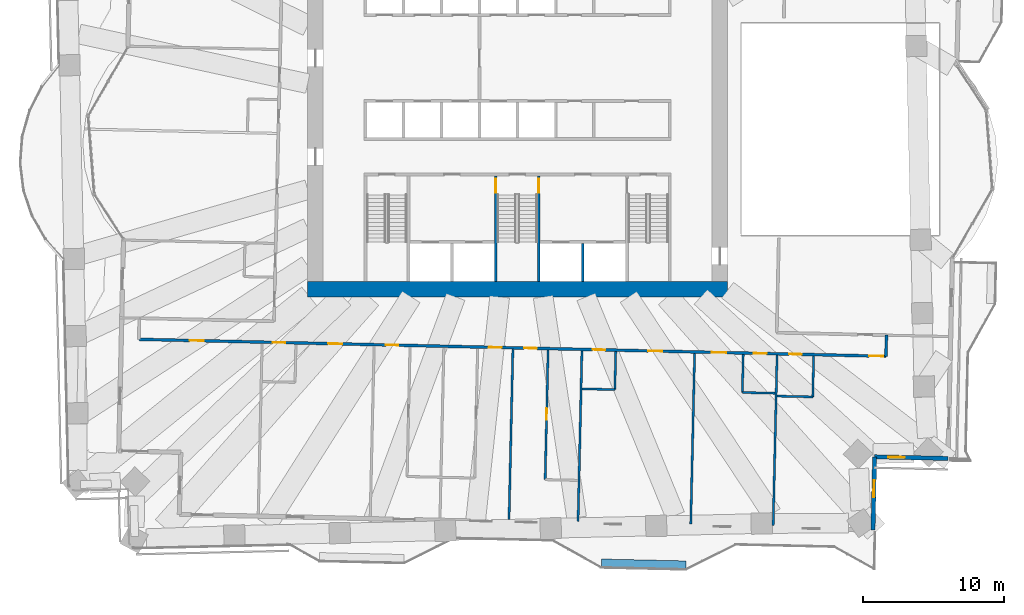
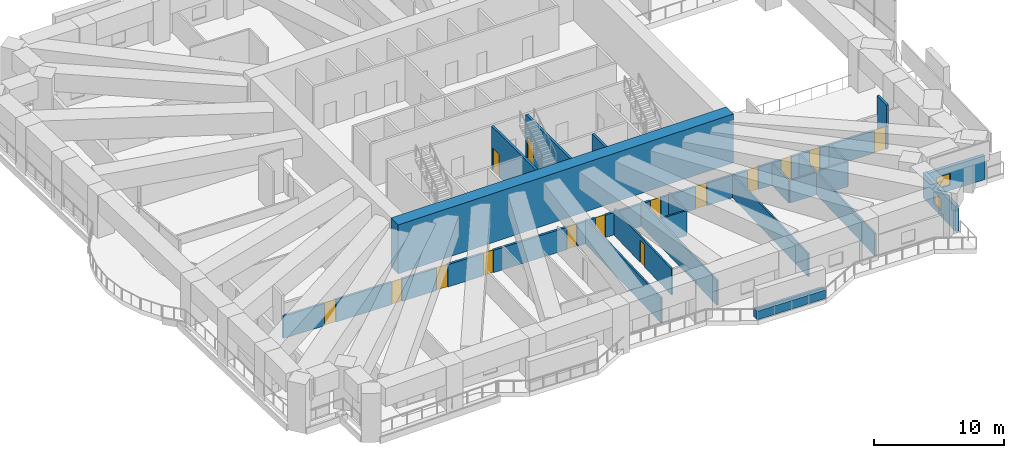
# One storey, part 10 of 20: 20 walls, 15 doors, 2 windows, 17 openings.
"""IFC4 building model written with IfcOpenShell, lengths in metres."""

from ifc_helpers import new_model, si_unit, direction, frame, frame_2d, origin, place, context, subcontext, project, spatial, rectangle, extrude, material, layer, layer_set, type_object, element, fill, save


model = new_model("IFC4")

# Units and contexts
model_context = context("Model", 3, precision=1e-05, world=origin(), true_north=direction((0.0, 1.0)))
body_context = subcontext(model_context, "Body", "Model", "MODEL_VIEW")
ifc_project = project(units=[si_unit("LENGTHUNIT", "METRE"), si_unit("AREAUNIT", "SQUARE_METRE"), si_unit("VOLUMEUNIT", "CUBIC_METRE"), si_unit("PLANEANGLEUNIT", "RADIAN"), si_unit("MASSUNIT", "GRAM", prefix="KILO")], contexts=[model_context])

# Site, building, storey
site_placement = place(None, origin())
site = spatial("IfcSite", under=ifc_project, at=site_placement, CompositionType="ELEMENT")
building_placement = place(site_placement, origin())
building = spatial("IfcBuilding", under=site, at=building_placement, Name="Mangrove Gate Tower", CompositionType="ELEMENT")
storey_placement = place(building_placement, frame((0.0, 0.0, 52.10009765625)))
storey = spatial("IfcBuildingStorey", under=building, at=storey_placement, Name="L12", CompositionType="ELEMENT", Elevation=52.10009765625)

# Wall
ifc_material_1 = material(Name="Concrete C70/85", Category="concrete")
ifc_layer_1 = layer(ifc_material_1, 0.199951171875)
ifc_layer_set_1 = layer_set([ifc_layer_1], Name="Core shaft wall 200 C70/85")
wall_type_1 = type_object("IfcWallType", Name="Core shaft wall 200 C70/85", PredefinedType="SHEAR", material=ifc_layer_set_1)
wall_1_placement = place(storey_placement, frame((4.625, -10.800048828125, 0.0), z_axis=(0.0, 0.0, 1.0), x_axis=(0.0, 1.0, 0.0)))
element("IfcWall", 1, at=wall_1_placement, inside=storey, type_object=wall_type_1, Name="WALL-L12-CORE-18", PredefinedType="SHEAR", context=body_context, shape_type="SweptSolid", body=[
    extrude(rectangle(XDim=2.699951171875, YDim=0.199951171875, at=frame_2d((1.35009765625, 0.0))), origin(), (0.0, 0.0, 1.0), 4.0498046875),
])

# Wall, opening, door
ifc_material_2 = material(Name="Concrete C70/85", Category="concrete")
ifc_layer_2 = layer(ifc_material_2, 0.199951171875)
ifc_layer_set_2 = layer_set([ifc_layer_2], Name="Core stair wall 200 C70/85")
wall_type_2 = type_object("IfcWallType", Name="Core stair wall 200 C70/85", PredefinedType="SHEAR", material=ifc_layer_set_2)
wall_2_placement = place(storey_placement, frame((-1.550048828125, -10.800048828125, 0.0), z_axis=(0.0, 0.0, 1.0), x_axis=(0.0, 1.0, 0.0)))
wall_2 = element("IfcWall", 2, at=wall_2_placement, inside=storey, type_object=wall_type_2, Name="WALL-L12-CORE-11", PredefinedType="SHEAR", context=body_context, shape_type="SweptSolid", body=[
    extrude(rectangle(XDim=7.5, YDim=0.199951171875, at=frame_2d((3.75, 0.0))), origin(), (0.0, 0.0, 1.0), 4.0498046875),
])
opening_1_placement = place(wall_2_placement, frame((6.300048828125, 0.0, 0.0)))
opening_1 = element("IfcOpeningElement", 3, at=opening_1_placement, cuts=wall_2, Name="Opening STD10", PredefinedType="OPENING", context=body_context, shape_type="SweptSolid", body=[
    extrude(rectangle(XDim=1.0, YDim=2.10009765625, at=frame_2d((0.5, 1.050048828125))), frame((0.0, 0.10986328125, 0.0), z_axis=(0.0, -1.0, 0.0), x_axis=(1.0, 0.0, 0.0)), (0.0, 0.0, 1.0), 0.219970703125),
])
ifc_material_3 = material(Name="Fire-rated steel door set", Category="steel")
door_type_1 = type_object("IfcDoorType", Name="Stair door FD60 1000x2100", OperationType="SINGLE_SWING_RIGHT", PredefinedType="DOOR", material=ifc_material_3)
door_1_placement = place(opening_1_placement, origin())
door_1 = element("IfcDoor", 4, at=door_1_placement, inside=storey, type_object=door_type_1, Name="Stair door Stair 2 from service lobby", OperationType="SINGLE_SWING_RIGHT", OverallHeight=2.10009765625, OverallWidth=1.0, PredefinedType="DOOR", context=body_context, shape_type="SweptSolid", body=[
    extrude(rectangle(XDim=1.0, YDim=2.10009765625, at=frame_2d((0.5, 1.050048828125))), frame((0.0, 0.02490234375, 0.0), z_axis=(0.0, -1.0, 0.0), x_axis=(1.0, 0.0, 0.0)), (0.0, 0.0, 1.0), 0.050048828125),
])
fill(opening_1, door_1)

wall_3_placement = place(storey_placement, frame((1.5, -10.800048828125, 0.0), z_axis=(0.0, 0.0, 1.0), x_axis=(0.0, 1.0, 0.0)))
wall_3 = element("IfcWall", 5, at=wall_3_placement, inside=storey, type_object=wall_type_2, Name="WALL-L12-CORE-12", PredefinedType="SHEAR", context=body_context, shape_type="SweptSolid", body=[
    extrude(rectangle(XDim=7.5, YDim=0.199951171875, at=frame_2d((3.75, 0.0))), origin(), (0.0, 0.0, 1.0), 4.0498046875),
])
opening_2_placement = place(wall_3_placement, frame((6.300048828125, 0.0, 0.0)))
opening_2 = element("IfcOpeningElement", 6, at=opening_2_placement, cuts=wall_3, Name="Opening STD10", PredefinedType="OPENING", context=body_context, shape_type="SweptSolid", body=[
    extrude(rectangle(XDim=1.0, YDim=2.10009765625, at=frame_2d((0.5, 1.050048828125))), frame((0.0, 0.10986328125, 0.0), z_axis=(0.0, -1.0, 0.0), x_axis=(1.0, 0.0, 0.0)), (0.0, 0.0, 1.0), 0.219970703125),
])
door_2_placement = place(opening_2_placement, origin())
door_2 = element("IfcDoor", 7, at=door_2_placement, inside=storey, type_object=door_type_1, Name="Stair door Stair 2 from fire-fighting lobby", OperationType="SINGLE_SWING_RIGHT", OverallHeight=2.10009765625, OverallWidth=1.0, PredefinedType="DOOR", context=body_context, shape_type="SweptSolid", body=[
    extrude(rectangle(XDim=1.0, YDim=2.10009765625, at=frame_2d((0.5, 1.050048828125))), frame((0.0, 0.02490234375, 0.0), z_axis=(0.0, -1.0, 0.0), x_axis=(1.0, 0.0, 0.0)), (0.0, 0.0, 1.0), 0.050048828125),
])
fill(opening_2, door_2)

# Wall
ifc_material_4 = material(Name="Concrete C70/85", Category="concrete")
ifc_layer_3 = layer(ifc_material_4, 1.10009765625)
ifc_layer_set_3 = layer_set([ifc_layer_3], Name="Core wall 1100 C70/85")
wall_type_3 = type_object("IfcWallType", Name="Core wall 1100 C70/85", PredefinedType="SHEAR", material=ifc_layer_set_3)
wall_4_placement = place(storey_placement, frame((-14.89990234375, -11.35009765625, 0.0), z_axis=(0.0, 0.0, 1.0), x_axis=(1.0, 0.0, 0.0)))
element("IfcWall", 8, at=wall_4_placement, inside=storey, type_object=wall_type_3, Name="WALL-L12-CORE-1", PredefinedType="SHEAR", context=body_context, shape_type="SweptSolid", body=[
    extrude(rectangle(XDim=29.7998046875, YDim=1.10009765625, at=frame_2d((14.89990234375, 0.0))), origin(), (0.0, 0.0, 1.0), 4.599853515625),
])

# Wall, openings, doors
ifc_material_5 = material(Name="Gypsum board on steel stud, EI 60", Category="steel")
ifc_layer_4 = layer(ifc_material_5, 0.199951171875)
ifc_layer_set_4 = layer_set([ifc_layer_4], Name="Corridor wall EI 60")
wall_type_4 = type_object("IfcWallType", Name="Corridor wall EI 60", PredefinedType="PARTITIONING", material=ifc_layer_set_4)
wall_5_placement = place(storey_placement, frame((-26.8759765625, -14.906982421875, 0.0), z_axis=(0.0, 0.0, 1.0), x_axis=(0.99974254105, -0.022690341881, 0.0)))
wall_5 = element("IfcWall", 9, at=wall_5_placement, inside=storey, type_object=wall_type_4, Name="WALL-L12-022", PredefinedType="PARTITIONING", context=body_context, shape_type="SweptSolid", body=[
    extrude(rectangle(XDim=53.023681640625, YDim=0.199951171875, at=frame_2d((26.51171875, 0.0))), origin(), (0.0, 0.0, 1.0), 2.099853515625),
])
opening_3_placement = place(wall_5_placement, frame((3.59912109375, 0.0, 0.0)))
opening_3 = element("IfcOpeningElement", 10, at=opening_3_placement, cuts=wall_5, Name="Opening AD", PredefinedType="OPENING", context=body_context, shape_type="SweptSolid", body=[
    extrude(rectangle(XDim=1.0, YDim=2.10009765625, at=frame_2d((0.5, 1.050048828125))), frame((0.0, 0.10986328125, 0.0), z_axis=(0.0, -1.0, 0.0), x_axis=(1.0, 0.0, 0.0)), (0.0, 0.0, 1.0), 0.219970703125),
])
opening_4_placement = place(wall_5_placement, frame((13.425048828125, 0.0, 0.0)))
opening_4 = element("IfcOpeningElement", 11, at=opening_4_placement, cuts=wall_5, Name="Opening AD", PredefinedType="OPENING", context=body_context, shape_type="SweptSolid", body=[
    extrude(rectangle(XDim=1.0, YDim=2.10009765625, at=frame_2d((0.5, 1.050048828125))), frame((0.0, 0.10986328125, 0.0), z_axis=(0.0, -1.0, 0.0), x_axis=(1.0, 0.0, 0.0)), (0.0, 0.0, 1.0), 0.219970703125),
])
opening_5_placement = place(wall_5_placement, frame((9.5, 0.0, 0.0)))
opening_5 = element("IfcOpeningElement", 12, at=opening_5_placement, cuts=wall_5, Name="Opening SD", PredefinedType="OPENING", context=body_context, shape_type="SweptSolid", body=[
    extrude(rectangle(XDim=0.89990234375, YDim=2.10009765625, at=frame_2d((0.449951171875, 1.050048828125))), frame((0.0, 0.10986328125, 0.0), z_axis=(0.0, -1.0, 0.0), x_axis=(1.0, 0.0, 0.0)), (0.0, 0.0, 1.0), 0.219970703125),
])
opening_6_placement = place(wall_5_placement, frame((17.52490234375, 0.0, 0.0)))
opening_6 = element("IfcOpeningElement", 13, at=opening_6_placement, cuts=wall_5, Name="Opening BD", PredefinedType="OPENING", context=body_context, shape_type="SweptSolid", body=[
    extrude(rectangle(XDim=0.89990234375, YDim=2.10009765625, at=frame_2d((0.449951171875, 1.050048828125))), frame((0.0, 0.10986328125, 0.0), z_axis=(0.0, -1.0, 0.0), x_axis=(1.0, 0.0, 0.0)), (0.0, 0.0, 1.0), 0.219970703125),
])
opening_7_placement = place(wall_5_placement, frame((24.85009765625, 0.0, 0.0)))
opening_7 = element("IfcOpeningElement", 14, at=opening_7_placement, cuts=wall_5, Name="Opening BD", PredefinedType="OPENING", context=body_context, shape_type="SweptSolid", body=[
    extrude(rectangle(XDim=0.89990234375, YDim=2.10009765625, at=frame_2d((0.449951171875, 1.050048828125))), frame((0.0, 0.10986328125, 0.0), z_axis=(0.0, -1.0, 0.0), x_axis=(1.0, 0.0, 0.0)), (0.0, 0.0, 1.0), 0.219970703125),
])
opening_8_placement = place(wall_5_placement, frame((27.35009765625, 0.0, 0.0)))
opening_8 = element("IfcOpeningElement", 15, at=opening_8_placement, cuts=wall_5, Name="Opening BD", PredefinedType="OPENING", context=body_context, shape_type="SweptSolid", body=[
    extrude(rectangle(XDim=0.89990234375, YDim=2.10009765625, at=frame_2d((0.449951171875, 1.050048828125))), frame((0.0, 0.10986328125, 0.0), z_axis=(0.0, -1.0, 0.0), x_axis=(1.0, 0.0, 0.0)), (0.0, 0.0, 1.0), 0.219970703125),
])
opening_9_placement = place(wall_5_placement, frame((36.14990234375, 0.0, 0.0)))
opening_9 = element("IfcOpeningElement", 16, at=opening_9_placement, cuts=wall_5, Name="Opening AD", PredefinedType="OPENING", context=body_context, shape_type="SweptSolid", body=[
    extrude(rectangle(XDim=1.0, YDim=2.10009765625, at=frame_2d((0.5, 1.050048828125))), frame((0.0, 0.10986328125, 0.0), z_axis=(0.0, -1.0, 0.0), x_axis=(1.0, 0.0, 0.0)), (0.0, 0.0, 1.0), 0.219970703125),
])
opening_10_placement = place(wall_5_placement, frame((32.199951171875, 0.0, 0.0)))
opening_10 = element("IfcOpeningElement", 17, at=opening_10_placement, cuts=wall_5, Name="Opening SD", PredefinedType="OPENING", context=body_context, shape_type="SweptSolid", body=[
    extrude(rectangle(XDim=0.89990234375, YDim=2.10009765625, at=frame_2d((0.449951171875, 1.050048828125))), frame((0.0, 0.10986328125, 0.0), z_axis=(0.0, -1.0, 0.0), x_axis=(1.0, 0.0, 0.0)), (0.0, 0.0, 1.0), 0.219970703125),
])
opening_11_placement = place(wall_5_placement, frame((40.675048828125, 0.0, 0.0)))
opening_11 = element("IfcOpeningElement", 18, at=opening_11_placement, cuts=wall_5, Name="Opening AD", PredefinedType="OPENING", context=body_context, shape_type="SweptSolid", body=[
    extrude(rectangle(XDim=1.0, YDim=2.10009765625, at=frame_2d((0.5, 1.050048828125))), frame((0.0, 0.10986328125, 0.0), z_axis=(0.0, -1.0, 0.0), x_axis=(1.0, 0.0, 0.0)), (0.0, 0.0, 1.0), 0.219970703125),
])
opening_12_placement = place(wall_5_placement, frame((43.64990234375, 0.0, 0.0)))
opening_12 = element("IfcOpeningElement", 19, at=opening_12_placement, cuts=wall_5, Name="Opening SD", PredefinedType="OPENING", context=body_context, shape_type="SweptSolid", body=[
    extrude(rectangle(XDim=0.89990234375, YDim=2.10009765625, at=frame_2d((0.449951171875, 1.050048828125))), frame((0.0, 0.10986328125, 0.0), z_axis=(0.0, -1.0, 0.0), x_axis=(1.0, 0.0, 0.0)), (0.0, 0.0, 1.0), 0.219970703125),
])
opening_13_placement = place(wall_5_placement, frame((51.823974609375, 0.0, 0.0)))
opening_13 = element("IfcOpeningElement", 20, at=opening_13_placement, cuts=wall_5, Name="Opening AD", PredefinedType="OPENING", context=body_context, shape_type="SweptSolid", body=[
    extrude(rectangle(XDim=1.0, YDim=2.10009765625, at=frame_2d((0.5, 1.050048828125))), frame((0.0, 0.10986328125, 0.0), z_axis=(0.0, -1.0, 0.0), x_axis=(1.0, 0.0, 0.0)), (0.0, 0.0, 1.0), 0.219970703125),
])
opening_14_placement = place(wall_5_placement, frame((46.14990234375, 0.0, 0.0)))
opening_14 = element("IfcOpeningElement", 21, at=opening_14_placement, cuts=wall_5, Name="Opening SD", PredefinedType="OPENING", context=body_context, shape_type="SweptSolid", body=[
    extrude(rectangle(XDim=0.89990234375, YDim=2.10009765625, at=frame_2d((0.449951171875, 1.050048828125))), frame((0.0, 0.10986328125, 0.0), z_axis=(0.0, -1.0, 0.0), x_axis=(1.0, 0.0, 0.0)), (0.0, 0.0, 1.0), 0.219970703125),
])
ifc_material_6 = material(Name="Timber door leaf", Category="wood")
door_type_2 = type_object("IfcDoorType", Name="Amenity door 1000", OperationType="SINGLE_SWING_LEFT", PredefinedType="DOOR", material=ifc_material_6)
door_3_placement = place(opening_3_placement, origin())
door_3 = element("IfcDoor", 22, at=door_3_placement, inside=storey, type_object=door_type_2, Name="DOOR-L12-KIT-c1a", OperationType="SINGLE_SWING_LEFT", OverallHeight=2.10009765625, OverallWidth=1.0, PredefinedType="DOOR", context=body_context, shape_type="SweptSolid", body=[
    extrude(rectangle(XDim=1.0, YDim=2.10009765625, at=frame_2d((0.5, 1.050048828125))), frame((0.0, 0.02490234375, 0.0), z_axis=(0.0, -1.0, 0.0), x_axis=(1.0, 0.0, 0.0)), (0.0, 0.0, 1.0), 0.050048828125),
])
fill(opening_3, door_3)
door_4_placement = place(opening_4_placement, origin())
door_4 = element("IfcDoor", 23, at=door_4_placement, inside=storey, type_object=door_type_2, Name="DOOR-L12-LNG-c1a", OperationType="SINGLE_SWING_RIGHT", OverallHeight=2.10009765625, OverallWidth=1.0, PredefinedType="DOOR", context=body_context, shape_type="SweptSolid", body=[
    extrude(rectangle(XDim=1.0, YDim=2.10009765625, at=frame_2d((0.5, 1.050048828125))), frame((0.0, 0.02490234375, 0.0), z_axis=(0.0, -1.0, 0.0), x_axis=(1.0, 0.0, 0.0)), (0.0, 0.0, 1.0), 0.050048828125),
])
fill(opening_4, door_4)
door_5_placement = place(opening_9_placement, origin())
door_5 = element("IfcDoor", 24, at=door_5_placement, inside=storey, type_object=door_type_2, Name="DOOR-L12-LNG-c4a", OperationType="SINGLE_SWING_LEFT", OverallHeight=2.10009765625, OverallWidth=1.0, PredefinedType="DOOR", context=body_context, shape_type="SweptSolid", body=[
    extrude(rectangle(XDim=1.0, YDim=2.10009765625, at=frame_2d((0.5, 1.050048828125))), frame((0.0, 0.02490234375, 0.0), z_axis=(0.0, -1.0, 0.0), x_axis=(1.0, 0.0, 0.0)), (0.0, 0.0, 1.0), 0.050048828125),
])
fill(opening_9, door_5)
door_6_placement = place(opening_11_placement, origin())
door_6 = element("IfcDoor", 25, at=door_6_placement, inside=storey, type_object=door_type_2, Name="DOOR-L12-KIT-c4a", OperationType="SINGLE_SWING_RIGHT", OverallHeight=2.10009765625, OverallWidth=1.0, PredefinedType="DOOR", context=body_context, shape_type="SweptSolid", body=[
    extrude(rectangle(XDim=1.0, YDim=2.10009765625, at=frame_2d((0.5, 1.050048828125))), frame((0.0, 0.02490234375, 0.0), z_axis=(0.0, -1.0, 0.0), x_axis=(1.0, 0.0, 0.0)), (0.0, 0.0, 1.0), 0.050048828125),
])
fill(opening_11, door_6)
door_7_placement = place(opening_13_placement, origin())
door_7 = element("IfcDoor", 26, at=door_7_placement, inside=storey, type_object=door_type_2, Name="DOOR-L12-GAM-c4a", OperationType="SINGLE_SWING_LEFT", OverallHeight=2.10009765625, OverallWidth=1.0, PredefinedType="DOOR", context=body_context, shape_type="SweptSolid", body=[
    extrude(rectangle(XDim=1.0, YDim=2.10009765625, at=frame_2d((0.5, 1.050048828125))), frame((0.0, 0.02490234375, 0.0), z_axis=(0.0, -1.0, 0.0), x_axis=(1.0, 0.0, 0.0)), (0.0, 0.0, 1.0), 0.050048828125),
])
fill(opening_13, door_7)
ifc_material_7 = material(Name="Timber door leaf", Category="wood")
door_type_3 = type_object("IfcDoorType", Name="Bedroom door 900", OperationType="SINGLE_SWING_LEFT", PredefinedType="DOOR", material=ifc_material_7)
door_8_placement = place(opening_6_placement, origin())
door_8 = element("IfcDoor", 27, at=door_8_placement, inside=storey, type_object=door_type_3, Name="DOOR-L12-BED-c101", OperationType="SINGLE_SWING_LEFT", OverallHeight=2.10009765625, OverallWidth=0.89990234375, PredefinedType="DOOR", context=body_context, shape_type="SweptSolid", body=[
    extrude(rectangle(XDim=0.89990234375, YDim=2.10009765625, at=frame_2d((0.449951171875, 1.050048828125))), frame((0.0, 0.02490234375, 0.0), z_axis=(0.0, -1.0, 0.0), x_axis=(1.0, 0.0, 0.0)), (0.0, 0.0, 1.0), 0.050048828125),
])
fill(opening_6, door_8)
door_9_placement = place(opening_7_placement, origin())
door_9 = element("IfcDoor", 28, at=door_9_placement, inside=storey, type_object=door_type_3, Name="DOOR-L12-BED-c202", OperationType="SINGLE_SWING_RIGHT", OverallHeight=2.10009765625, OverallWidth=0.89990234375, PredefinedType="DOOR", context=body_context, shape_type="SweptSolid", body=[
    extrude(rectangle(XDim=0.89990234375, YDim=2.10009765625, at=frame_2d((0.449951171875, 1.050048828125))), frame((0.0, 0.02490234375, 0.0), z_axis=(0.0, -1.0, 0.0), x_axis=(1.0, 0.0, 0.0)), (0.0, 0.0, 1.0), 0.050048828125),
])
fill(opening_7, door_9)
door_10_placement = place(opening_8_placement, origin())
door_10 = element("IfcDoor", 29, at=door_10_placement, inside=storey, type_object=door_type_3, Name="DOOR-L12-BED-c303", OperationType="SINGLE_SWING_LEFT", OverallHeight=2.10009765625, OverallWidth=0.89990234375, PredefinedType="DOOR", context=body_context, shape_type="SweptSolid", body=[
    extrude(rectangle(XDim=0.89990234375, YDim=2.10009765625, at=frame_2d((0.449951171875, 1.050048828125))), frame((0.0, 0.02490234375, 0.0), z_axis=(0.0, -1.0, 0.0), x_axis=(1.0, 0.0, 0.0)), (0.0, 0.0, 1.0), 0.050048828125),
])
fill(opening_8, door_10)
ifc_material_8 = material(Name="Timber door leaf", Category="wood")
door_type_4 = type_object("IfcDoorType", Name="Service room door 900", OperationType="SINGLE_SWING_LEFT", PredefinedType="DOOR", material=ifc_material_8)
door_11_placement = place(opening_5_placement, origin())
door_11 = element("IfcDoor", 30, at=door_11_placement, inside=storey, type_object=door_type_4, Name="DOOR-L12-WC-c1a", OperationType="SINGLE_SWING_LEFT", OverallHeight=2.10009765625, OverallWidth=0.89990234375, PredefinedType="DOOR", context=body_context, shape_type="SweptSolid", body=[
    extrude(rectangle(XDim=0.89990234375, YDim=2.10009765625, at=frame_2d((0.449951171875, 1.050048828125))), frame((0.0, 0.02490234375, 0.0), z_axis=(0.0, -1.0, 0.0), x_axis=(1.0, 0.0, 0.0)), (0.0, 0.0, 1.0), 0.050048828125),
])
fill(opening_5, door_11)
door_12_placement = place(opening_10_placement, origin())
door_12 = element("IfcDoor", 31, at=door_12_placement, inside=storey, type_object=door_type_4, Name="DOOR-L12-WC-c4a", OperationType="SINGLE_SWING_RIGHT", OverallHeight=2.10009765625, OverallWidth=0.89990234375, PredefinedType="DOOR", context=body_context, shape_type="SweptSolid", body=[
    extrude(rectangle(XDim=0.89990234375, YDim=2.10009765625, at=frame_2d((0.449951171875, 1.050048828125))), frame((0.0, 0.02490234375, 0.0), z_axis=(0.0, -1.0, 0.0), x_axis=(1.0, 0.0, 0.0)), (0.0, 0.0, 1.0), 0.050048828125),
])
fill(opening_10, door_12)
door_13_placement = place(opening_12_placement, origin())
door_13 = element("IfcDoor", 32, at=door_13_placement, inside=storey, type_object=door_type_4, Name="DOOR-L12-WC-c4b", OperationType="SINGLE_SWING_LEFT", OverallHeight=2.10009765625, OverallWidth=0.89990234375, PredefinedType="DOOR", context=body_context, shape_type="SweptSolid", body=[
    extrude(rectangle(XDim=0.89990234375, YDim=2.10009765625, at=frame_2d((0.449951171875, 1.050048828125))), frame((0.0, 0.02490234375, 0.0), z_axis=(0.0, -1.0, 0.0), x_axis=(1.0, 0.0, 0.0)), (0.0, 0.0, 1.0), 0.050048828125),
])
fill(opening_12, door_13)
door_14_placement = place(opening_14_placement, origin())
door_14 = element("IfcDoor", 33, at=door_14_placement, inside=storey, type_object=door_type_4, Name="DOOR-L12-AWC-c4a", OperationType="SINGLE_SWING_RIGHT", OverallHeight=2.10009765625, OverallWidth=0.89990234375, PredefinedType="DOOR", context=body_context, shape_type="SweptSolid", body=[
    extrude(rectangle(XDim=0.89990234375, YDim=2.10009765625, at=frame_2d((0.449951171875, 1.050048828125))), frame((0.0, 0.02490234375, 0.0), z_axis=(0.0, -1.0, 0.0), x_axis=(1.0, 0.0, 0.0)), (0.0, 0.0, 1.0), 0.050048828125),
])
fill(opening_14, door_14)

# Wall
wall_6_placement = place(storey_placement, frame((26.137939453125, -16.110107421875, 0.0), z_axis=(0.0, 0.0, 1.0), x_axis=(0.02279537805, 0.999740151609, 0.0)))
element("IfcWall", 34, at=wall_6_placement, inside=storey, type_object=wall_type_4, Name="WALL-L12-023", PredefinedType="PARTITIONING", context=body_context, shape_type="SweptSolid", body=[
    extrude(rectangle(XDim=1.49951171875, YDim=0.199951171875, at=frame_2d((0.749755859375, 0.0))), origin(), (0.0, 0.0, 1.0), 4.0498046875),
])

# Wall, opening, window
ifc_material_9 = material(Name="Limestone", Category="masonry")
ifc_layer_5 = layer(ifc_material_9, 0.0400390625, Name="Limestone cladding")
ifc_material_10 = material(Name="Ventilated air gap")
ifc_layer_6 = layer(ifc_material_10, 0.0400390625, Name="Ventilated cavity")
ifc_material_11 = material(Name="Mineral wool insulation")
ifc_layer_7 = layer(ifc_material_11, 0.06005859375, Name="Insulation")
ifc_material_12 = material(Name="Breather membrane")
ifc_layer_8 = layer(ifc_material_12, 0.001953125, Name="Breather membrane")
ifc_material_13 = material(Name="Concrete C20/25 blockwork", Category="masonry")
ifc_layer_9 = layer(ifc_material_13, 0.14990234375, Name="Blockwork backing wall")
ifc_material_14 = material(Name="Gypsum plaster")
ifc_layer_10 = layer(ifc_material_14, 0.008056640625, Name="Internal plaster")
ifc_layer_set_5 = layer_set([ifc_layer_5, ifc_layer_6, ifc_layer_7, ifc_layer_8, ifc_layer_9, ifc_layer_10], Name="External wall 300 limestone cladding")
wall_type_5 = type_object("IfcWallType", Name="External wall 300 limestone cladding", PredefinedType="SOLIDWALL", material=ifc_layer_set_5)
wall_7_placement = place(storey_placement, frame((25.216064453125, -28.443115234375, 0.0), z_axis=(0.0, 0.0, 1.0), x_axis=(0.022674484462, 0.999742900827, 0.0)))
wall_7 = element("IfcWall", 35, at=wall_7_placement, inside=storey, type_object=wall_type_5, Name="WALL-L12-E14", PredefinedType="SOLIDWALL", context=body_context, shape_type="SweptSolid", body=[
    extrude(rectangle(XDim=5.200439453125, YDim=0.300048828125, at=frame_2d((2.60009765625, 0.0))), origin(), (0.0, 0.0, 1.0), 2.349853515625),
])
opening_15_placement = place(wall_7_placement, frame((2.322998046875, 0.0, 0.5)))
opening_15 = element("IfcOpeningElement", 36, at=opening_15_placement, cuts=wall_7, Name="Opening W6", PredefinedType="OPENING", context=body_context, shape_type="SweptSolid", body=[
    extrude(rectangle(XDim=1.199951171875, YDim=1.10009765625, at=frame_2d((0.60009765625, 0.550048828125))), frame((0.0, 0.159912109375, 0.0), z_axis=(0.0, -1.0, 0.0), x_axis=(1.0, 0.0, 0.0)), (0.0, 0.0, 1.0), 0.320068359375),
])
ifc_material_15 = material(Name="Aluminium frame with double-glazed low-e glass", Category="aluminium")
window_type = type_object("IfcWindowType", Name="Low window 1200x1100", PartitioningType="SINGLE_PANEL", PredefinedType="WINDOW", material=ifc_material_15)
window_1_placement = place(opening_15_placement, origin())
window_1 = element("IfcWindow", 37, at=window_1_placement, inside=storey, type_object=window_type, Name="WIN-L12-E14-1", OverallHeight=1.10009765625, OverallWidth=1.199951171875, PartitioningType="SINGLE_PANEL", PredefinedType="WINDOW", context=body_context, shape_type="SweptSolid", body=[
    extrude(rectangle(XDim=1.199951171875, YDim=1.10009765625, at=frame_2d((0.60009765625, 0.550048828125))), frame((0.0, 0.030029296875, 0.0), z_axis=(0.0, -1.0, 0.0), x_axis=(1.0, 0.0, 0.0)), (0.0, 0.0, 1.0), 0.06005859375),
])
fill(opening_15, window_1)

wall_8_placement = place(storey_placement, frame((25.333984375, -23.243896484375, 0.0), z_axis=(0.0, 0.0, 1.0), x_axis=(0.999741811307, -0.022722471786, 0.0)))
wall_8 = element("IfcWall", 38, at=wall_8_placement, inside=storey, type_object=wall_type_5, Name="WALL-L12-S15", PredefinedType="SOLIDWALL", context=body_context, shape_type="SweptSolid", body=[
    extrude(rectangle(XDim=5.2001953125, YDim=0.300048828125, at=frame_2d((2.60009765625, 0.0))), origin(), (0.0, 0.0, 1.0), 2.25),
])
opening_16_placement = place(wall_8_placement, frame((0.949951171875, 0.0, 0.5)))
opening_16 = element("IfcOpeningElement", 39, at=opening_16_placement, cuts=wall_8, Name="Opening W6", PredefinedType="OPENING", context=body_context, shape_type="SweptSolid", body=[
    extrude(rectangle(XDim=1.199951171875, YDim=1.10009765625, at=frame_2d((0.60009765625, 0.550048828125))), frame((0.0, 0.159912109375, 0.0), z_axis=(0.0, -1.0, 0.0), x_axis=(1.0, 0.0, 0.0)), (0.0, 0.0, 1.0), 0.320068359375),
])
window_2_placement = place(opening_16_placement, origin())
window_2 = element("IfcWindow", 40, at=window_2_placement, inside=storey, type_object=window_type, Name="WIN-L12-S15-1", OverallHeight=1.10009765625, OverallWidth=1.199951171875, PartitioningType="SINGLE_PANEL", PredefinedType="WINDOW", context=body_context, shape_type="SweptSolid", body=[
    extrude(rectangle(XDim=1.199951171875, YDim=1.10009765625, at=frame_2d((0.60009765625, 0.550048828125))), frame((0.0, 0.030029296875, 0.0), z_axis=(0.0, -1.0, 0.0), x_axis=(1.0, 0.0, 0.0)), (0.0, 0.0, 1.0), 0.06005859375),
])
fill(opening_16, window_2)

# Walls
ifc_material_16 = material(Name="Gypsum board on steel stud, EI 60", Category="steel")
ifc_layer_11 = layer(ifc_material_16, 0.14990234375)
ifc_layer_set_6 = layer_set([ifc_layer_11], Name="Party wall 150 EI 60")
wall_type_6 = type_object("IfcWallType", Name="Party wall 150 EI 60", PredefinedType="PARTITIONING", material=ifc_layer_set_6)
wall_9_placement = place(storey_placement, frame((-0.612060546875, -27.70703125, 0.0), z_axis=(0.0, 0.0, 1.0), x_axis=(0.02273928012, 0.99974142914, 0.0)))
element("IfcWall", 41, at=wall_9_placement, inside=storey, type_object=wall_type_6, Name="WALL-L12-004", PredefinedType="PARTITIONING", context=body_context, shape_type="SweptSolid", body=[
    extrude(rectangle(XDim=12.10009765625, YDim=0.14990234375, at=frame_2d((6.050048828125, 0.0))), origin(), (0.0, 0.0, 1.0), 2.349853515625),
])
wall_10_placement = place(storey_placement, frame((4.287109375, -27.818115234375, 0.0), z_axis=(0.0, 0.0, 1.0), x_axis=(0.022718655443, 0.999741898039, 0.0)))
element("IfcWall", 42, at=wall_10_placement, inside=storey, type_object=wall_type_6, Name="WALL-L12-005", PredefinedType="PARTITIONING", context=body_context, shape_type="SweptSolid", body=[
    extrude(rectangle(XDim=12.100341796875, YDim=0.14990234375, at=frame_2d((6.05029296875, 0.0))), origin(), (0.0, 0.0, 1.0), 2.349853515625),
])
wall_11_placement = place(storey_placement, frame((12.284912109375, -27.9990234375, 0.0), z_axis=(0.0, 0.0, 1.0), x_axis=(0.022658614335, 0.999743260641, 0.0)))
element("IfcWall", 43, at=wall_11_placement, inside=storey, type_object=wall_type_6, Name="WALL-L12-006", PredefinedType="PARTITIONING", context=body_context, shape_type="SweptSolid", body=[
    extrude(rectangle(XDim=12.10009765625, YDim=0.14990234375, at=frame_2d((6.050048828125, 0.0))), origin(), (0.0, 0.0, 1.0), 2.14990234375),
])
wall_12_placement = place(storey_placement, frame((18.133056640625, -28.132080078125, 0.0), z_axis=(0.0, 0.0, 1.0), x_axis=(0.022718655443, 0.999741898039, 0.0)))
element("IfcWall", 44, at=wall_12_placement, inside=storey, type_object=wall_type_6, Name="WALL-L12-007", PredefinedType="PARTITIONING", context=body_context, shape_type="SweptSolid", body=[
    extrude(rectangle(XDim=12.100341796875, YDim=0.14990234375, at=frame_2d((6.05029296875, 0.0))), origin(), (0.0, 0.0, 1.0), 2.099853515625),
])

# Wall, opening, door
wall_13_placement = place(storey_placement, frame((1.952880859375, -24.864013671875, 0.0), z_axis=(0.0, 0.0, 1.0), x_axis=(0.022741297026, 0.999741383263, 0.0)))
wall_13 = element("IfcWall", 45, at=wall_13_placement, inside=storey, type_object=wall_type_6, Name="WALL-L12-011", PredefinedType="PARTITIONING", context=body_context, shape_type="SweptSolid", body=[
    extrude(rectangle(XDim=9.200439453125, YDim=0.14990234375, at=frame_2d((4.60009765625, 0.0))), origin(), (0.0, 0.0, 1.0), 2.449951171875),
])
opening_17_placement = place(wall_13_placement, frame((4.25, 0.0, 0.0)))
opening_17 = element("IfcOpeningElement", 46, at=opening_17_placement, cuts=wall_13, Name="Opening ED", PredefinedType="OPENING", context=body_context, shape_type="SweptSolid", body=[
    extrude(rectangle(XDim=0.800048828125, YDim=2.10009765625, at=frame_2d((0.39990234375, 1.050048828125))), frame((0.0, 0.0849609375, 0.0), z_axis=(0.0, -1.0, 0.0), x_axis=(1.0, 0.0, 0.0)), (0.0, 0.0, 1.0), 0.169921875),
])
ifc_material_17 = material(Name="Timber door leaf", Category="wood")
door_type_5 = type_object("IfcDoorType", Name="En-suite door 800", OperationType="SINGLE_SWING_LEFT", PredefinedType="DOOR", material=ifc_material_17)
door_15_placement = place(opening_17_placement, origin())
door_15 = element("IfcDoor", 47, at=door_15_placement, inside=storey, type_object=door_type_5, Name="DOOR-L12-ENS-c303", OperationType="SINGLE_SWING_LEFT", OverallHeight=2.10009765625, OverallWidth=0.800048828125, PredefinedType="DOOR", context=body_context, shape_type="SweptSolid", body=[
    extrude(rectangle(XDim=0.800048828125, YDim=2.10009765625, at=frame_2d((0.39990234375, 1.050048828125))), frame((0.0, 0.02490234375, 0.0), z_axis=(0.0, -1.0, 0.0), x_axis=(1.0, 0.0, 0.0)), (0.0, 0.0, 1.0), 0.050048828125),
])
fill(opening_17, door_15)

# Walls
wall_14_placement = place(storey_placement, frame((18.4189453125, -18.93603515625, 0.0), z_axis=(0.0, 0.0, 1.0), x_axis=(0.999746356616, -0.022521599255, 0.0)))
element("IfcWall", 48, at=wall_14_placement, inside=storey, type_object=wall_type_6, Name="WALL-L12-013", PredefinedType="PARTITIONING", context=body_context, shape_type="SweptSolid", body=[
    extrude(rectangle(XDim=2.52587890625, YDim=0.14990234375, at=frame_2d((1.262939453125, 0.0))), origin(), (0.0, 0.0, 1.0), 2.349853515625),
])
wall_15_placement = place(storey_placement, frame((20.94189453125, -18.992919921875, 0.0), z_axis=(0.0, 0.0, 1.0), x_axis=(0.022480421481, 0.999747283392, 0.0)))
element("IfcWall", 49, at=wall_15_placement, inside=storey, type_object=wall_type_6, Name="WALL-L12-014", PredefinedType="PARTITIONING", context=body_context, shape_type="SweptSolid", body=[
    extrude(rectangle(XDim=2.899658203125, YDim=0.14990234375, at=frame_2d((1.44970703125, 0.0))), origin(), (0.0, 0.0, 1.0), 2.25),
])
wall_16_placement = place(storey_placement, frame((4.576904296875, -18.422119140625, 0.0), z_axis=(0.0, 0.0, 1.0), x_axis=(0.99974053329, -0.022778632478, 0.0)))
element("IfcWall", 50, at=wall_16_placement, inside=storey, type_object=wall_type_6, Name="WALL-L12-017", PredefinedType="PARTITIONING", context=body_context, shape_type="SweptSolid", body=[
    extrude(rectangle(XDim=2.32568359375, YDim=0.14990234375, at=frame_2d((1.162841796875, 0.0))), origin(), (0.0, 0.0, 1.0), 2.349853515625),
])
wall_17_placement = place(storey_placement, frame((6.89990234375, -18.47509765625, 0.0), z_axis=(0.0, 0.0, 1.0), x_axis=(0.022598205876, 0.999744627938, 0.0)))
element("IfcWall", 51, at=wall_17_placement, inside=storey, type_object=wall_type_6, Name="WALL-L12-018", PredefinedType="PARTITIONING", context=body_context, shape_type="SweptSolid", body=[
    extrude(rectangle(XDim=2.700927734375, YDim=0.14990234375, at=frame_2d((1.3505859375, 0.0))), origin(), (0.0, 0.0, 1.0), 2.349853515625),
])
wall_18_placement = place(storey_placement, frame((15.947021484375, -18.679931640625, 0.0), z_axis=(0.0, 0.0, 1.0), x_axis=(0.022969966847, 0.999736155505, 0.0)))
element("IfcWall", 52, at=wall_18_placement, inside=storey, type_object=wall_type_6, Name="WALL-L12-019", PredefinedType="PARTITIONING", context=body_context, shape_type="SweptSolid", body=[
    extrude(rectangle(XDim=2.69970703125, YDim=0.14990234375, at=frame_2d((1.349853515625, 0.0))), origin(), (0.0, 0.0, 1.0), 2.099853515625),
])
wall_19_placement = place(storey_placement, frame((15.948974609375, -18.679931640625, 0.0), z_axis=(0.0, 0.0, 1.0), x_axis=(0.999740478815, -0.022781023197, 0.0)))
element("IfcWall", 53, at=wall_19_placement, inside=storey, type_object=wall_type_6, Name="WALL-L12-020", PredefinedType="PARTITIONING", context=body_context, shape_type="SweptSolid", body=[
    extrude(rectangle(XDim=2.325439453125, YDim=0.14990234375, at=frame_2d((1.16259765625, 0.0))), origin(), (0.0, 0.0, 1.0), 2.099853515625),
])
ifc_material_18 = material(Name="Concrete C32/40", Category="concrete")
ifc_layer_12 = layer(ifc_material_18, 0.199951171875, Name="Planter trough wall")
ifc_material_19 = material(Name="Bituminous waterproofing membrane")
ifc_layer_13 = layer(ifc_material_19, 0.0048828125, Name="Waterproofing")
ifc_material_20 = material(Name="Drainage board and gravel")
ifc_layer_14 = layer(ifc_material_20, 0.044921875, Name="Drainage layer")
ifc_material_21 = material(Name="Planting soil")
ifc_layer_15 = layer(ifc_material_21, 0.300048828125, Name="Growing medium")
ifc_layer_set_7 = layer_set([ifc_layer_12, ifc_layer_13, ifc_layer_14, ifc_layer_15], Name="Planter wall 550 C32/40")
wall_type_7 = type_object("IfcWallType", Name="Planter wall 550 C32/40", PredefinedType="USERDEFINED", material=ifc_layer_set_7)
wall_20_placement = place(storey_placement, frame((5.93994140625, -30.77099609375, 0.0), z_axis=(0.0, 0.0, 1.0), x_axis=(0.999743178102, -0.022662255828, 0.0)))
element("IfcWall", 54, at=wall_20_placement, inside=storey, type_object=wall_type_7, Name="PLANTER L12 S1.1", ObjectType="PLANTER", PredefinedType="USERDEFINED", context=body_context, shape_type="SweptSolid", body=[
    extrude(rectangle(XDim=6.00048828125, YDim=0.550048828125, at=frame_2d((3.000244140625, 0.0))), origin(), (0.0, 0.0, 1.0), 0.7998046875),
])

save(model, "model.ifc")
